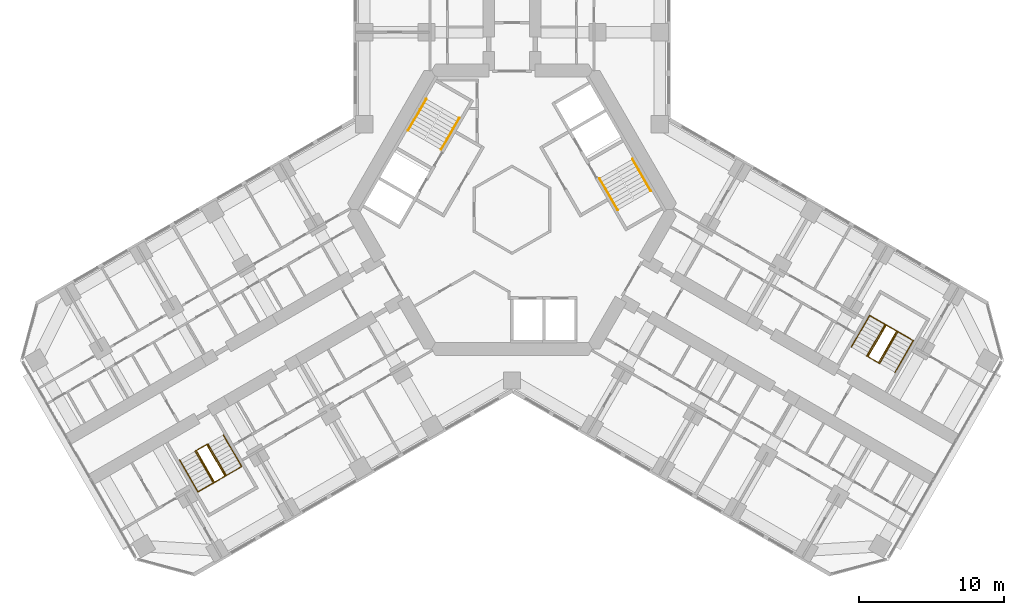
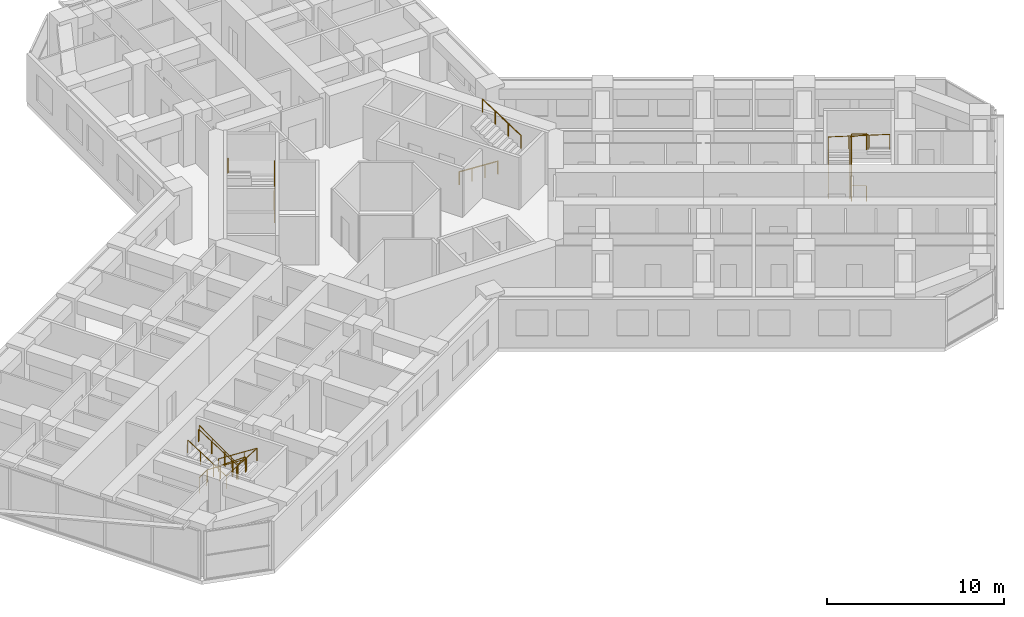
# One storey, part 20 of 20: 10 railings.
"""IFC4 building model written with IfcOpenShell, lengths in metres."""

from ifc_helpers import new_model, si_unit, direction, frame, origin, origin_2d, place, context, subcontext, project, spatial, circle, extrude, material, type_object, element, save


model = new_model("IFC4")

# Units and contexts
model_context = context("Model", 3, precision=1e-05, world=origin(), true_north=direction((0.0, 1.0)))
body_context = subcontext(model_context, "Body", "Model", "MODEL_VIEW")
ifc_project = project(units=[si_unit("LENGTHUNIT", "METRE"), si_unit("AREAUNIT", "SQUARE_METRE"), si_unit("VOLUMEUNIT", "CUBIC_METRE"), si_unit("PLANEANGLEUNIT", "RADIAN"), si_unit("MASSUNIT", "GRAM", prefix="KILO")], contexts=[model_context])

# Site, building, storey
site_placement = place(None, origin())
site = spatial("IfcSite", under=ifc_project, at=site_placement, CompositionType="ELEMENT")
building_placement = place(site_placement, origin())
building = spatial("IfcBuilding", under=site, at=building_placement, Name="Kosmar Iwan School Tower", CompositionType="ELEMENT")
storey_placement = place(building_placement, frame((0.0, 0.0, 123.800048828125)))
storey = spatial("IfcBuildingStorey", under=building, at=storey_placement, Name="L30", CompositionType="ELEMENT", Elevation=123.800048828125)

# Railings
ifc_material_1 = material(Name="Black steel", Category="steel")
railing_type_1 = type_object("IfcRailingType", Name="Stair handrail 900", PredefinedType="HANDRAIL", material=ifc_material_1)
railing_1_placement = place(storey_placement, frame((-4.89453125, 4.142333984375, 0.179931640625)))
element("IfcRailing", 1, at=railing_1_placement, inside=storey, type_object=railing_type_1, Name="Handrail ST2 flight 1", PredefinedType="HANDRAIL", context=body_context, shape_type="SweptSolid", body=[
    extrude(circle(Radius=0.02392578125, at=origin_2d()), frame((0.0, 0.0, 0.8759765625), z_axis=(0.420584145978, 0.728463801763, 0.540785970299), x_axis=(-0.866022637375, 0.500004791531, 0.0)), (0.0, 0.0, 1.0), 2.995849609375),
    extrude(circle(Radius=0.02099609375, at=origin_2d()), origin(), (0.0, 0.0, 1.0), 0.851806640625),
    extrude(circle(Radius=0.02099609375, at=origin_2d()), frame((0.419921875, 0.7275390625, 0.5400390625)), (0.0, 0.0, 1.0), 0.851806640625),
    extrude(circle(Radius=0.02099609375, at=origin_2d()), frame((0.840087890625, 1.454833984375, 1.080078125)), (0.0, 0.0, 1.0), 0.851806640625),
    extrude(circle(Radius=0.02099609375, at=origin_2d()), frame((1.260009765625, 2.182373046875, 1.6201171875)), (0.0, 0.0, 1.0), 0.851806640625),
])
railing_2_placement = place(storey_placement, frame((-5.912353515625, 7.6396484375, 1.97998046875)))
element("IfcRailing", 2, at=railing_2_placement, inside=storey, type_object=railing_type_1, Name="Handrail ST2 flight 2", PredefinedType="HANDRAIL", context=body_context, shape_type="SweptSolid", body=[
    extrude(circle(Radius=0.02392578125, at=origin_2d()), frame((0.0, 0.0, 0.8759765625), z_axis=(-0.42060268101, -0.72849590497, 0.54072830624), x_axis=(0.866022637375, -0.500004791531, 0.0)), (0.0, 0.0, 1.0), 2.99560546875),
    extrude(circle(Radius=0.02099609375, at=origin_2d()), origin(), (0.0, 0.0, 1.0), 0.851806640625),
    extrude(circle(Radius=0.02099609375, at=origin_2d()), frame((-0.419921875, -0.7275390625, 0.5400390625)), (0.0, 0.0, 1.0), 0.851806640625),
    extrude(circle(Radius=0.02099609375, at=origin_2d()), frame((-0.840087890625, -1.454833984375, 1.079833984375)), (0.0, 0.0, 1.0), 0.851806640625),
    extrude(circle(Radius=0.02099609375, at=origin_2d()), frame((-1.260009765625, -2.182373046875, 1.619873046875)), (0.0, 0.0, 1.0), 0.851806640625),
])
railing_3_placement = place(storey_placement, frame((6.03466796875, 2.167724609375, 0.179931640625)))
element("IfcRailing", 3, at=railing_3_placement, inside=storey, type_object=railing_type_1, Name="Handrail ST1 flight 1", PredefinedType="HANDRAIL", context=body_context, shape_type="SweptSolid", body=[
    extrude(circle(Radius=0.02392578125, at=origin_2d()), frame((0.0, 0.0, 0.8759765625), z_axis=(0.420584145978, -0.728463801763, 0.540785970299), x_axis=(0.866022637375, 0.500004791531, 0.0)), (0.0, 0.0, 1.0), 2.995849609375),
    extrude(circle(Radius=0.02099609375, at=origin_2d()), origin(), (0.0, 0.0, 1.0), 0.851806640625),
    extrude(circle(Radius=0.02099609375, at=origin_2d()), frame((0.419921875, -0.7275390625, 0.5400390625)), (0.0, 0.0, 1.0), 0.851806640625),
    extrude(circle(Radius=0.02099609375, at=origin_2d()), frame((0.840087890625, -1.454833984375, 1.080078125)), (0.0, 0.0, 1.0), 0.851806640625),
    extrude(circle(Radius=0.02099609375, at=origin_2d()), frame((1.260009765625, -2.182373046875, 1.6201171875)), (0.0, 0.0, 1.0), 0.851806640625),
])
railing_4_placement = place(storey_placement, frame((9.572265625, 1.30029296875, 1.97998046875)))
element("IfcRailing", 4, at=railing_4_placement, inside=storey, type_object=railing_type_1, Name="Handrail ST1 flight 2", PredefinedType="HANDRAIL", context=body_context, shape_type="SweptSolid", body=[
    extrude(circle(Radius=0.02392578125, at=origin_2d()), frame((0.0, 0.0, 0.8759765625), z_axis=(-0.42060268101, 0.72849590497, 0.54072830624), x_axis=(-0.866022637375, -0.500004791531, 0.0)), (0.0, 0.0, 1.0), 2.99560546875),
    extrude(circle(Radius=0.02099609375, at=origin_2d()), origin(), (0.0, 0.0, 1.0), 0.851806640625),
    extrude(circle(Radius=0.02099609375, at=origin_2d()), frame((-0.419921875, 0.7275390625, 0.5400390625)), (0.0, 0.0, 1.0), 0.851806640625),
    extrude(circle(Radius=0.02099609375, at=origin_2d()), frame((-0.840087890625, 1.454833984375, 1.079833984375)), (0.0, 0.0, 1.0), 0.851806640625),
    extrude(circle(Radius=0.02099609375, at=origin_2d()), frame((-1.260009765625, 2.182373046875, 1.619873046875)), (0.0, 0.0, 1.0), 0.851806640625),
])
railing_5_placement = place(storey_placement, frame((-19.9091796875, -15.5361328125, 0.179931640625)))
element("IfcRailing", 5, at=railing_5_placement, inside=storey, type_object=railing_type_1, Name="Handrail stair WS2 L30 wall side", PredefinedType="HANDRAIL", context=body_context, shape_type="SweptSolid", body=[
    extrude(circle(Radius=0.02392578125, at=origin_2d()), frame((0.0, 0.0, 0.8759765625), z_axis=(0.420517065106, -0.728488768407, 0.540804504659), x_axis=(0.866064587494, 0.499932125682, 0.0)), (0.0, 0.0, 1.0), 2.995849609375),
    extrude(circle(Radius=0.02392578125, at=origin_2d()), frame((1.259765625, -2.182373046875, 2.49609375), z_axis=(-0.864864352349, -0.499342858003, 0.051636829851), x_axis=(0.500009906705, -0.86601968407, 0.0)), (0.0, 0.0, 1.0), 3.484619140625),
    extrude(circle(Radius=0.02392578125, at=origin_2d()), frame((-1.75390625, -3.92236328125, 2.67578125), z_axis=(-0.42060268101, 0.72849590497, 0.54072830624), x_axis=(-0.866022637375, -0.500004791531, 0.0)), (0.0, 0.0, 1.0), 2.99560546875),
    extrude(circle(Radius=0.02099609375, at=origin_2d()), origin(), (0.0, 0.0, 1.0), 0.851806640625),
    extrude(circle(Radius=0.02099609375, at=origin_2d()), frame((0.419921875, -0.7275390625, 0.5400390625)), (0.0, 0.0, 1.0), 0.851806640625),
    extrude(circle(Radius=0.02099609375, at=origin_2d()), frame((0.83984375, -1.454833984375, 1.080078125)), (0.0, 0.0, 1.0), 0.851806640625),
    extrude(circle(Radius=0.02099609375, at=origin_2d()), frame((1.259765625, -2.182373046875, 1.6201171875)), (0.0, 0.0, 1.0), 0.851806640625),
    extrude(circle(Radius=0.02099609375, at=origin_2d()), frame((0.255126953125, -2.762451171875, 1.68017578125)), (0.0, 0.0, 1.0), 0.851806640625),
    extrude(circle(Radius=0.02099609375, at=origin_2d()), frame((-0.749267578125, -3.34228515625, 1.739990234375)), (0.0, 0.0, 1.0), 0.851806640625),
    extrude(circle(Radius=0.02099609375, at=origin_2d()), frame((-1.75390625, -3.92236328125, 1.800048828125)), (0.0, 0.0, 1.0), 0.851806640625),
    extrude(circle(Radius=0.02099609375, at=origin_2d()), frame((-2.173828125, -3.19482421875, 2.340087890625)), (0.0, 0.0, 1.0), 0.851806640625),
    extrude(circle(Radius=0.02099609375, at=origin_2d()), frame((-2.593994140625, -2.467529296875, 2.8798828125)), (0.0, 0.0, 1.0), 0.851806640625),
    extrude(circle(Radius=0.02099609375, at=origin_2d()), frame((-3.013916015625, -1.739990234375, 3.419921875)), (0.0, 0.0, 1.0), 0.851806640625),
])
railing_6_placement = place(storey_placement, frame((-20.974609375, -16.151123046875, 0.179931640625)))
element("IfcRailing", 6, at=railing_6_placement, inside=storey, type_object=railing_type_1, Name="Handrail stair WS2 L30 well side", PredefinedType="HANDRAIL", context=body_context, shape_type="SweptSolid", body=[
    extrude(circle(Radius=0.02392578125, at=origin_2d()), frame((0.0, 0.0, 0.8759765625), z_axis=(0.420584145978, -0.728463801763, 0.540785970299), x_axis=(0.866022637375, 0.500004791531, 0.0)), (0.0, 0.0, 1.0), 2.995849609375),
    extrude(circle(Radius=0.02392578125, at=origin_2d()), frame((1.260009765625, -2.182373046875, 2.49609375), z_axis=(-0.852841519511, -0.492422867401, 0.173726976197), x_axis=(0.500026340207, -0.866010195725, 0.0)), (0.0, 0.0, 1.0), 1.03564453125),
    extrude(circle(Radius=0.02392578125, at=origin_2d()), frame((0.376708984375, -2.6923828125, 2.67578125), z_axis=(-0.42060268101, 0.72849590497, 0.54072830624), x_axis=(-0.866022637375, -0.500004791531, 0.0)), (0.0, 0.0, 1.0), 2.99560546875),
    extrude(circle(Radius=0.02099609375, at=origin_2d()), origin(), (0.0, 0.0, 1.0), 0.851806640625),
    extrude(circle(Radius=0.02099609375, at=origin_2d()), frame((0.419921875, -0.7275390625, 0.5400390625)), (0.0, 0.0, 1.0), 0.851806640625),
    extrude(circle(Radius=0.02099609375, at=origin_2d()), frame((0.840087890625, -1.454833984375, 1.080078125)), (0.0, 0.0, 1.0), 0.851806640625),
    extrude(circle(Radius=0.02099609375, at=origin_2d()), frame((1.260009765625, -2.182373046875, 1.6201171875)), (0.0, 0.0, 1.0), 0.851806640625),
    extrude(circle(Radius=0.02099609375, at=origin_2d()), frame((0.376708984375, -2.6923828125, 1.800048828125)), (0.0, 0.0, 1.0), 0.851806640625),
    extrude(circle(Radius=0.02099609375, at=origin_2d()), frame((-0.043212890625, -1.96484375, 2.340087890625)), (0.0, 0.0, 1.0), 0.851806640625),
    extrude(circle(Radius=0.02099609375, at=origin_2d()), frame((-0.46337890625, -1.237548828125, 2.8798828125)), (0.0, 0.0, 1.0), 0.851806640625),
    extrude(circle(Radius=0.02099609375, at=origin_2d()), frame((-0.88330078125, -0.510009765625, 3.419921875)), (0.0, 0.0, 1.0), 0.851806640625),
])
railing_7_placement = place(storey_placement, frame((23.4091796875, -9.473876953125, 0.179931640625)))
element("IfcRailing", 7, at=railing_7_placement, inside=storey, type_object=railing_type_1, Name="Handrail stair WS3 L30 wall side", PredefinedType="HANDRAIL", context=body_context, shape_type="SweptSolid", body=[
    extrude(circle(Radius=0.02392578125, at=origin_2d()), frame((0.0, 0.0, 0.8759765625), z_axis=(0.420584145978, 0.728463801763, 0.540785970299), x_axis=(-0.866022637375, 0.500004791531, 0.0)), (0.0, 0.0, 1.0), 2.995849609375),
    extrude(circle(Radius=0.02392578125, at=origin_2d()), frame((1.260009765625, 2.182373046875, 2.49609375), z_axis=(0.864882007433, -0.499312601618, 0.051633701051), x_axis=(0.499979528911, 0.866037222451, 0.0)), (0.0, 0.0, 1.0), 3.48486328125),
    extrude(circle(Radius=0.02392578125, at=origin_2d()), frame((4.27392578125, 0.4423828125, 2.67578125), z_axis=(-0.42060268101, -0.72849590497, 0.54072830624), x_axis=(0.866022637375, -0.500004791531, 0.0)), (0.0, 0.0, 1.0), 2.99560546875),
    extrude(circle(Radius=0.02099609375, at=origin_2d()), origin(), (0.0, 0.0, 1.0), 0.851806640625),
    extrude(circle(Radius=0.02099609375, at=origin_2d()), frame((0.419921875, 0.7275390625, 0.5400390625)), (0.0, 0.0, 1.0), 0.851806640625),
    extrude(circle(Radius=0.02099609375, at=origin_2d()), frame((0.840087890625, 1.454833984375, 1.080078125)), (0.0, 0.0, 1.0), 0.851806640625),
    extrude(circle(Radius=0.02099609375, at=origin_2d()), frame((1.260009765625, 2.182373046875, 1.6201171875)), (0.0, 0.0, 1.0), 0.851806640625),
    extrude(circle(Radius=0.02099609375, at=origin_2d()), frame((2.2646484375, 1.602294921875, 1.68017578125)), (0.0, 0.0, 1.0), 0.851806640625),
    extrude(circle(Radius=0.02099609375, at=origin_2d()), frame((3.269287109375, 1.0224609375, 1.739990234375)), (0.0, 0.0, 1.0), 0.851806640625),
    extrude(circle(Radius=0.02099609375, at=origin_2d()), frame((4.27392578125, 0.4423828125, 1.800048828125)), (0.0, 0.0, 1.0), 0.851806640625),
    extrude(circle(Radius=0.02099609375, at=origin_2d()), frame((3.85400390625, -0.28515625, 2.340087890625)), (0.0, 0.0, 1.0), 0.851806640625),
    extrude(circle(Radius=0.02099609375, at=origin_2d()), frame((3.433837890625, -1.012451171875, 2.8798828125)), (0.0, 0.0, 1.0), 0.851806640625),
    extrude(circle(Radius=0.02099609375, at=origin_2d()), frame((3.013916015625, -1.739990234375, 3.419921875)), (0.0, 0.0, 1.0), 0.851806640625),
])
railing_8_placement = place(storey_placement, frame((24.474609375, -10.0888671875, 0.179931640625)))
element("IfcRailing", 8, at=railing_8_placement, inside=storey, type_object=railing_type_1, Name="Handrail stair WS3 L30 well side", PredefinedType="HANDRAIL", context=body_context, shape_type="SweptSolid", body=[
    extrude(circle(Radius=0.02392578125, at=origin_2d()), frame((0.0, 0.0, 0.8759765625), z_axis=(0.420584145978, 0.728463801763, 0.540785970299), x_axis=(-0.866022637375, 0.500004791531, 0.0)), (0.0, 0.0, 1.0), 2.995849609375),
    extrude(circle(Radius=0.02392578125, at=origin_2d()), frame((1.260009765625, 2.182373046875, 2.49609375), z_axis=(0.852841519511, -0.492422867401, 0.173726976197), x_axis=(0.500026340207, 0.866010195725, 0.0)), (0.0, 0.0, 1.0), 1.03564453125),
    extrude(circle(Radius=0.02392578125, at=origin_2d()), frame((2.143310546875, 1.67236328125, 2.67578125), z_axis=(-0.42060268101, -0.72849590497, 0.54072830624), x_axis=(0.866022637375, -0.500004791531, 0.0)), (0.0, 0.0, 1.0), 2.99560546875),
    extrude(circle(Radius=0.02099609375, at=origin_2d()), origin(), (0.0, 0.0, 1.0), 0.851806640625),
    extrude(circle(Radius=0.02099609375, at=origin_2d()), frame((0.419921875, 0.7275390625, 0.5400390625)), (0.0, 0.0, 1.0), 0.851806640625),
    extrude(circle(Radius=0.02099609375, at=origin_2d()), frame((0.840087890625, 1.454833984375, 1.080078125)), (0.0, 0.0, 1.0), 0.851806640625),
    extrude(circle(Radius=0.02099609375, at=origin_2d()), frame((1.260009765625, 2.182373046875, 1.6201171875)), (0.0, 0.0, 1.0), 0.851806640625),
    extrude(circle(Radius=0.02099609375, at=origin_2d()), frame((2.143310546875, 1.67236328125, 1.800048828125)), (0.0, 0.0, 1.0), 0.851806640625),
    extrude(circle(Radius=0.02099609375, at=origin_2d()), frame((1.723388671875, 0.94482421875, 2.340087890625)), (0.0, 0.0, 1.0), 0.851806640625),
    extrude(circle(Radius=0.02099609375, at=origin_2d()), frame((1.30322265625, 0.217529296875, 2.8798828125)), (0.0, 0.0, 1.0), 0.851806640625),
    extrude(circle(Radius=0.02099609375, at=origin_2d()), frame((0.88330078125, -0.510009765625, 3.419921875)), (0.0, 0.0, 1.0), 0.851806640625),
])
ifc_material_2 = material(Name="Black steel", Category="steel")
railing_type_2 = type_object("IfcRailingType", Name="Stair well guard 1100", PredefinedType="GUARDRAIL", material=ifc_material_2)
railing_9_placement = place(storey_placement, frame((-21.780029296875, -16.6162109375, 0.0)))
element("IfcRailing", 9, at=railing_9_placement, inside=storey, type_object=railing_type_2, Name="Stair WS2 L30 well guard", PredefinedType="GUARDRAIL", context=body_context, shape_type="SweptSolid", body=[
    extrude(circle(Radius=0.02392578125, at=origin_2d()), frame((0.0, 0.0, 1.076171875), z_axis=(0.865962960534, 0.500108139288, 0.0), x_axis=(-0.500108139288, 0.865962960534, 0.0)), (0.0, 0.0, 1.0), 0.840087890625),
    extrude(circle(Radius=0.02392578125, at=origin_2d()), frame((0.7275390625, 0.420166015625, 1.076171875), z_axis=(0.40686665399, -0.704704712268, 0.58124933925), x_axis=(0.866022637375, 0.500004791531, 0.0)), (0.0, 0.0, 1.0), 3.096923828125),
    extrude(circle(Radius=0.02392578125, at=origin_2d()), frame((1.987548828125, -1.76220703125, 2.8759765625), z_axis=(-0.865962960534, -0.500108139288, 0.0), x_axis=(0.500108139288, -0.865962960534, 0.0)), (0.0, 0.0, 1.0), 0.840087890625),
    extrude(circle(Radius=0.02392578125, at=origin_2d()), frame((1.260009765625, -2.182373046875, 2.8759765625), z_axis=(-0.406885297737, 0.704737003773, 0.581197135229), x_axis=(-0.866022637375, -0.500004791531, 0.0)), (0.0, 0.0, 1.0), 3.0966796875),
    extrude(circle(Radius=0.02099609375, at=origin_2d()), origin(), (0.0, 0.0, 1.0), 1.052001953125),
    extrude(circle(Radius=0.02099609375, at=origin_2d()), frame((0.7275390625, 0.420166015625, 0.0)), (0.0, 0.0, 1.0), 1.052001953125),
    extrude(circle(Radius=0.02099609375, at=origin_2d()), frame((1.1474609375, -0.307373046875, 0.60009765625)), (0.0, 0.0, 1.0), 1.052001953125),
    extrude(circle(Radius=0.02099609375, at=origin_2d()), frame((1.567626953125, -1.03466796875, 1.199951171875)), (0.0, 0.0, 1.0), 1.052001953125),
    extrude(circle(Radius=0.02099609375, at=origin_2d()), frame((1.987548828125, -1.76220703125, 1.800048828125)), (0.0, 0.0, 1.0), 1.052001953125),
    extrude(circle(Radius=0.02099609375, at=origin_2d()), frame((1.260009765625, -2.182373046875, 1.800048828125)), (0.0, 0.0, 1.0), 1.052001953125),
    extrude(circle(Radius=0.02099609375, at=origin_2d()), frame((0.840087890625, -1.454833984375, 2.39990234375)), (0.0, 0.0, 1.0), 1.052001953125),
    extrude(circle(Radius=0.02099609375, at=origin_2d()), frame((0.419921875, -0.7275390625, 3.0)), (0.0, 0.0, 1.0), 1.052001953125),
    extrude(circle(Radius=0.02099609375, at=origin_2d()), frame((0.0, 0.0, 3.599853515625)), (0.0, 0.0, 1.0), 1.052001953125),
])
railing_10_placement = place(storey_placement, frame((25.280029296875, -10.553955078125, 0.0)))
element("IfcRailing", 10, at=railing_10_placement, inside=storey, type_object=railing_type_2, Name="Stair WS3 L30 well guard", PredefinedType="GUARDRAIL", context=body_context, shape_type="SweptSolid", body=[
    extrude(circle(Radius=0.02392578125, at=origin_2d()), frame((0.0, 0.0, 1.076171875), z_axis=(-0.865962960534, 0.500108139288, 0.0), x_axis=(-0.500108139288, -0.865962960534, 0.0)), (0.0, 0.0, 1.0), 0.840087890625),
    extrude(circle(Radius=0.02392578125, at=origin_2d()), frame((-0.7275390625, 0.420166015625, 1.076171875), z_axis=(0.40686665399, 0.704704712268, 0.58124933925), x_axis=(-0.866022637375, 0.500004791531, 0.0)), (0.0, 0.0, 1.0), 3.096923828125),
    extrude(circle(Radius=0.02392578125, at=origin_2d()), frame((0.532470703125, 2.6025390625, 2.8759765625), z_axis=(0.865890253765, -0.500234013672, 0.0), x_axis=(0.500234013672, 0.865890253765, 0.0)), (0.0, 0.0, 1.0), 0.83984375),
    extrude(circle(Radius=0.02392578125, at=origin_2d()), frame((1.259765625, 2.182373046875, 2.8759765625), z_axis=(-0.406819508263, -0.704759609372, 0.581215778084), x_axis=(0.866064587494, -0.499932125682, 0.0)), (0.0, 0.0, 1.0), 3.0966796875),
    extrude(circle(Radius=0.02099609375, at=origin_2d()), origin(), (0.0, 0.0, 1.0), 1.052001953125),
    extrude(circle(Radius=0.02099609375, at=origin_2d()), frame((-0.7275390625, 0.420166015625, 0.0)), (0.0, 0.0, 1.0), 1.052001953125),
    extrude(circle(Radius=0.02099609375, at=origin_2d()), frame((-0.3076171875, 1.147705078125, 0.60009765625)), (0.0, 0.0, 1.0), 1.052001953125),
    extrude(circle(Radius=0.02099609375, at=origin_2d()), frame((0.112548828125, 1.875, 1.199951171875)), (0.0, 0.0, 1.0), 1.052001953125),
    extrude(circle(Radius=0.02099609375, at=origin_2d()), frame((0.532470703125, 2.6025390625, 1.800048828125)), (0.0, 0.0, 1.0), 1.052001953125),
    extrude(circle(Radius=0.02099609375, at=origin_2d()), frame((1.259765625, 2.182373046875, 1.800048828125)), (0.0, 0.0, 1.0), 1.052001953125),
    extrude(circle(Radius=0.02099609375, at=origin_2d()), frame((0.83984375, 1.454833984375, 2.39990234375)), (0.0, 0.0, 1.0), 1.052001953125),
    extrude(circle(Radius=0.02099609375, at=origin_2d()), frame((0.419921875, 0.7275390625, 3.0)), (0.0, 0.0, 1.0), 1.052001953125),
    extrude(circle(Radius=0.02099609375, at=origin_2d()), frame((0.0, 0.0, 3.599853515625)), (0.0, 0.0, 1.0), 1.052001953125),
])

save(model, "model.ifc")
